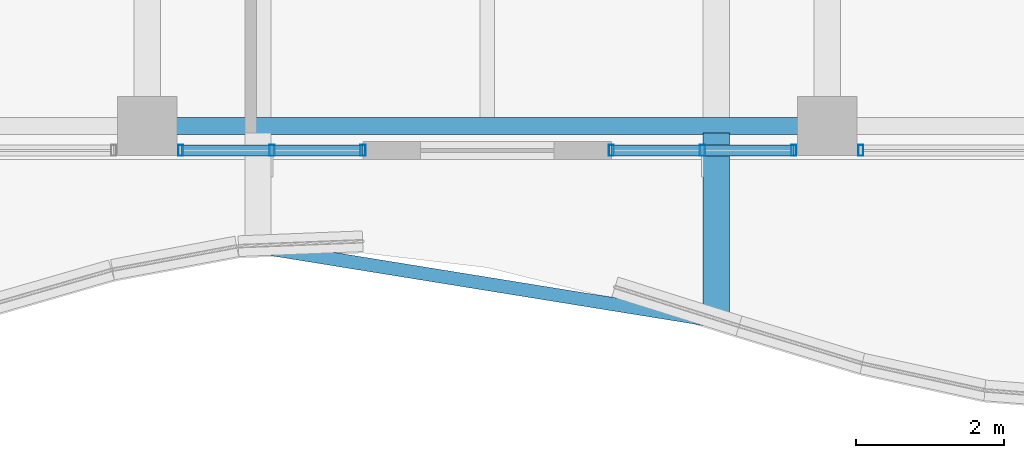
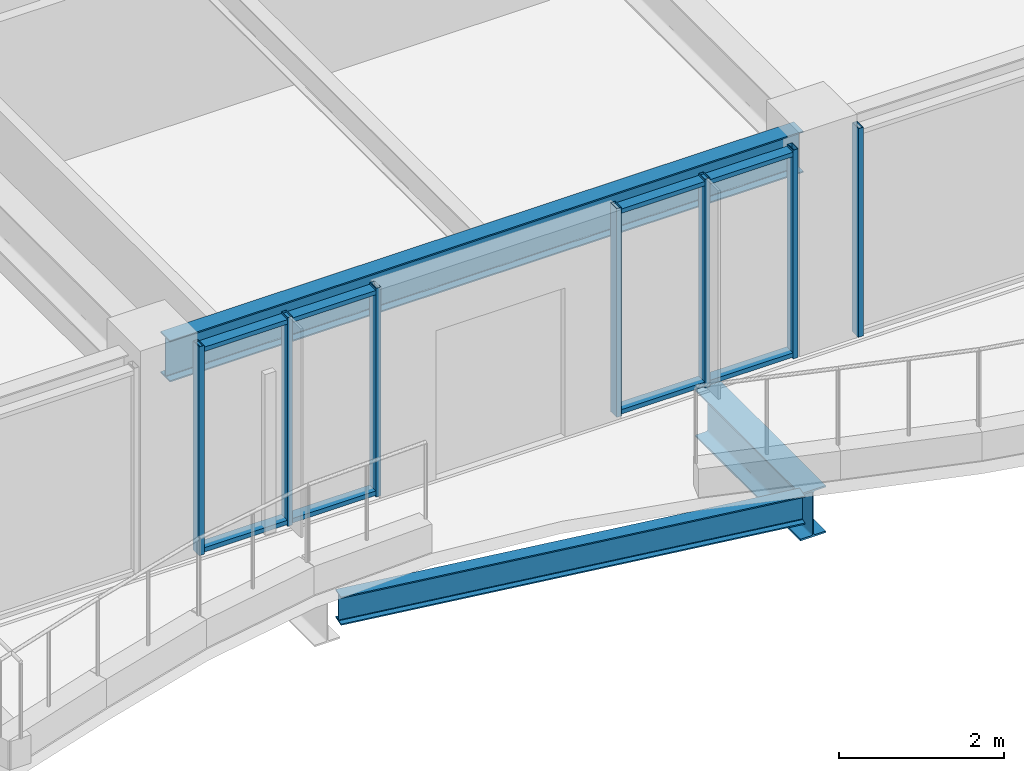
# One storey, part 6 of 36: 11 members, 3 beams, 3 elements without a shape of their own.
"""IFC4 building model written with IfcOpenShell, lengths in metres."""

from ifc_helpers import new_model, si_unit, direction, frame, origin, origin_2d, place, context, subcontext, project, spatial, hollow_rectangle, i_section, extrude, material, material_profile, profile_set, type_object, element, aggregate, save


model = new_model("IFC4")

# Units and contexts
model_context = context("Model", 3, precision=1e-05, world=origin(), true_north=direction((0.0, 1.0)))
body_context = subcontext(model_context, "Body", "Model", "MODEL_VIEW")
ifc_project = project(units=[si_unit("LENGTHUNIT", "METRE"), si_unit("AREAUNIT", "SQUARE_METRE"), si_unit("VOLUMEUNIT", "CUBIC_METRE"), si_unit("PLANEANGLEUNIT", "RADIAN"), si_unit("MASSUNIT", "GRAM", prefix="KILO")], contexts=[model_context])

# Site, building, storey
site_placement = place(None, origin())
site = spatial("IfcSite", under=ifc_project, at=site_placement, CompositionType="ELEMENT")
building_placement = place(site_placement, origin())
building = spatial("IfcBuilding", under=site, at=building_placement, Name="Kolvaren Belvedere", CompositionType="ELEMENT")
storey_placement = place(building_placement, frame((0.0, 0.0, 196.5)))
storey = spatial("IfcBuildingStorey", under=building, at=storey_placement, Name="L57", CompositionType="ELEMENT", Elevation=196.5)

# Beams
ifc_material_1 = material(Name="Structural steel ASTM A992 Grade 50", Category="steel")
ifc_material_profile_1 = material_profile(ifc_material_1, i_section(OverallWidth=0.35498046875, OverallDepth=0.696044921875, WebThickness=0.015380859375, FlangeThickness=0.02490234375, FilletRadius=0.02197265625, at=origin_2d()), Name="W27X146")
ifc_profile_set_1 = profile_set([ifc_material_profile_1], Name="Structural steel ASTM A992 Grade 50")
beam_type_1 = type_object("IfcBeamType", Name="BM-CANT-BAL", PredefinedType="BEAM", material=ifc_profile_set_1)
beam_1_placement = place(storey_placement, frame((3.10009765625, -20.044921875, -0.568115234375), z_axis=(0.0, -1.0, 0.0), x_axis=(1.0, 0.0, 0.0)))
element("IfcBeam", 1, at=beam_1_placement, inside=storey, type_object=beam_type_1, Name="L57 Planted Balcony Cantilever BAL-S-2", PredefinedType="BEAM", context=body_context, shape_type="SweptSolid", body=[
    extrude(i_section(OverallWidth=0.35498046875, OverallDepth=0.696044921875, WebThickness=0.015380859375, FlangeThickness=0.02490234375, FilletRadius=0.02197265625, at=origin_2d()), origin(), (0.0, 0.0, 1.0), 2.541259765625),
])
ifc_material_2 = material(Name="Structural steel ASTM A992 Grade 50", Category="steel")
ifc_material_profile_2 = material_profile(ifc_material_2, i_section(OverallWidth=0.180908203125, OverallDepth=0.4169921875, WebThickness=0.010986328125, FlangeThickness=0.018310546875, FilletRadius=0.013916015625, at=origin_2d()), Name="W16X57")
ifc_profile_set_2 = profile_set([ifc_material_profile_2], Name="Structural steel ASTM A992 Grade 50")
beam_type_2 = type_object("IfcBeamType", Name="BM-EDGE-W16X57", PredefinedType="BEAM", material=ifc_profile_set_2)
beam_2_placement = place(storey_placement, frame((-2.9619140625, -21.607666015625, -0.428466796875), z_axis=(0.987219034838, -0.159369310891, 0.0), x_axis=(0.159369310891, 0.987219034838, 0.0)))
element("IfcBeam", 2, at=beam_2_placement, inside=storey, type_object=beam_type_2, Name="L57 Balcony Tip Header Beam BAL-S", PredefinedType="BEAM", context=body_context, shape_type="SweptSolid", body=[
    extrude(i_section(OverallWidth=0.180908203125, OverallDepth=0.4169921875, WebThickness=0.010986328125, FlangeThickness=0.018310546875, FilletRadius=0.013916015625, at=origin_2d()), origin(), (0.0, 0.0, 1.0), 6.00048828125),
])
ifc_material_3 = material(Name="Structural steel ASTM A992 Grade 50", Category="steel")
ifc_material_profile_3 = material_profile(ifc_material_3, i_section(OverallWidth=0.22900390625, OverallDepth=0.612060546875, WebThickness=0.011962890625, FlangeThickness=0.01953125, FilletRadius=0.01806640625, at=origin_2d()), Name="W24X84")
ifc_profile_set_3 = profile_set([ifc_material_profile_3], Name="Structural steel ASTM A992 Grade 50")
beam_type_3 = type_object("IfcBeamType", Name="BM-SPAN-W24X84", PredefinedType="SPANDREL", material=ifc_profile_set_3)
beam_3_placement = place(storey_placement, frame((-4.419921875, -19.949951171875, 2.77392578125), z_axis=(1.0, 0.0, 0.0), x_axis=(0.0, 1.0, 0.0)))
element("IfcBeam", 3, at=beam_3_placement, inside=storey, type_object=beam_type_3, Name="L57 Perimeter Spandrel S2-S3", PredefinedType="SPANDREL", context=body_context, shape_type="SweptSolid", body=[
    extrude(i_section(OverallWidth=0.22900390625, OverallDepth=0.612060546875, WebThickness=0.011962890625, FlangeThickness=0.01953125, FilletRadius=0.01806640625, at=origin_2d()), origin(), (0.0, 0.0, 1.0), 8.83984375),
])

# Curtain wall, member
ifc_material_4 = material(Name="Anodised pale-metal aluminium AA 6063-T6", Category="aluminium")
curtain_wall_type = type_object("IfcCurtainWallType", Name="CW-Z5-HIGH", PredefinedType="NOTDEFINED", material=ifc_material_4)
curtain_wall_1_placement = place(storey_placement, origin())
curtain_wall_1 = element("IfcCurtainWall", 4, at=curtain_wall_1_placement, inside=storey, type_object=curtain_wall_type, Name="L57 Unitised Curtain Wall FCW-L57-S1-B1", PredefinedType="NOTDEFINED")
ifc_material_5 = material(Name="Anodised pale-metal aluminium AA 6063-T6", Category="aluminium")
ifc_material_profile_4 = material_profile(ifc_material_5, hollow_rectangle(XDim=0.070068359375, YDim=0.14990234375, WallThickness=0.004150390625, at=origin_2d()), Name="ALU-MUL-150X70")
ifc_profile_set_4 = profile_set([ifc_material_profile_4], Name="Anodised pale-metal aluminium AA 6063-T6")
member_type_1 = type_object("IfcMemberType", Name="CW-MUL-150", PredefinedType="MULLION", material=ifc_profile_set_4)
member_1_placement = place(storey_placement, frame((5.054931640625, -20.280029296875, 0.0), z_axis=(0.0, 0.0, 1.0), x_axis=(1.0, 0.0, 0.0)))
member_1 = element("IfcMember", 5, at=member_1_placement, type_object=member_type_1, Name="FCW-L57-S1-B1 Unitised Mullion 3", PredefinedType="MULLION", context=body_context, shape_type="SweptSolid", body=[
    extrude(hollow_rectangle(XDim=0.070068359375, YDim=0.14990234375, WallThickness=0.004150390625, at=origin_2d()), origin(), (0.0, 0.0, 1.0), 3.080078125),
])
aggregate(curtain_wall_1, [member_1])

# Curtain wall, members
curtain_wall_2_placement = place(storey_placement, origin())
curtain_wall_2 = element("IfcCurtainWall", 6, at=curtain_wall_2_placement, inside=storey, type_object=curtain_wall_type, Name="L57 Unitised Curtain Wall FCW-L57-S1-B2", PredefinedType="NOTDEFINED")
member_2_placement = place(storey_placement, frame((4.14501953125, -20.280029296875, 0.0), z_axis=(0.0, 0.0, 1.0), x_axis=(1.0, 0.0, 0.0)))
member_2 = element("IfcMember", 7, at=member_2_placement, type_object=member_type_1, Name="FCW-L57-S1-B2 Unitised Mullion 1", PredefinedType="MULLION", context=body_context, shape_type="SweptSolid", body=[
    extrude(hollow_rectangle(XDim=0.070068359375, YDim=0.14990234375, WallThickness=0.004150390625, at=origin_2d()), origin(), (0.0, 0.0, 1.0), 3.080078125),
])
member_3_placement = place(storey_placement, frame((2.91259765625, -20.280029296875, 0.0), z_axis=(0.0, 0.0, 1.0), x_axis=(1.0, 0.0, 0.0)))
member_3 = element("IfcMember", 8, at=member_3_placement, type_object=member_type_1, Name="FCW-L57-S1-B2 Unitised Mullion 2", PredefinedType="MULLION", context=body_context, shape_type="SweptSolid", body=[
    extrude(hollow_rectangle(XDim=0.070068359375, YDim=0.14990234375, WallThickness=0.004150390625, at=origin_2d()), origin(), (0.0, 0.0, 1.0), 3.080078125),
])
member_4_placement = place(storey_placement, frame((1.679931640625, -20.280029296875, 0.0), z_axis=(0.0, 0.0, 1.0), x_axis=(1.0, 0.0, 0.0)))
member_4 = element("IfcMember", 9, at=member_4_placement, type_object=member_type_1, Name="FCW-L57-S1-B2 Unitised Mullion 3", PredefinedType="MULLION", context=body_context, shape_type="SweptSolid", body=[
    extrude(hollow_rectangle(XDim=0.070068359375, YDim=0.14990234375, WallThickness=0.004150390625, at=origin_2d()), origin(), (0.0, 0.0, 1.0), 3.080078125),
])

curtain_wall_3_placement = place(storey_placement, origin())
curtain_wall_3 = element("IfcCurtainWall", 10, at=curtain_wall_3_placement, inside=storey, type_object=curtain_wall_type, Name="L57 Unitised Curtain Wall FCW-L57-S2-B1", PredefinedType="NOTDEFINED")
member_5_placement = place(storey_placement, frame((-1.679931640625, -20.280029296875, 0.0), z_axis=(0.0, 0.0, 1.0), x_axis=(1.0, 0.0, 0.0)))
member_5 = element("IfcMember", 11, at=member_5_placement, type_object=member_type_1, Name="FCW-L57-S2-B1 Unitised Mullion 1", PredefinedType="MULLION", context=body_context, shape_type="SweptSolid", body=[
    extrude(hollow_rectangle(XDim=0.070068359375, YDim=0.14990234375, WallThickness=0.004150390625, at=origin_2d()), origin(), (0.0, 0.0, 1.0), 3.080078125),
])
member_6_placement = place(storey_placement, frame((-2.91259765625, -20.280029296875, 0.0), z_axis=(0.0, 0.0, 1.0), x_axis=(1.0, 0.0, 0.0)))
member_6 = element("IfcMember", 12, at=member_6_placement, type_object=member_type_1, Name="FCW-L57-S2-B1 Unitised Mullion 2", PredefinedType="MULLION", context=body_context, shape_type="SweptSolid", body=[
    extrude(hollow_rectangle(XDim=0.070068359375, YDim=0.14990234375, WallThickness=0.004150390625, at=origin_2d()), origin(), (0.0, 0.0, 1.0), 3.080078125),
])
member_7_placement = place(storey_placement, frame((-4.14501953125, -20.280029296875, 0.0), z_axis=(0.0, 0.0, 1.0), x_axis=(1.0, 0.0, 0.0)))
member_7 = element("IfcMember", 13, at=member_7_placement, type_object=member_type_1, Name="FCW-L57-S2-B1 Unitised Mullion 3", PredefinedType="MULLION", context=body_context, shape_type="SweptSolid", body=[
    extrude(hollow_rectangle(XDim=0.070068359375, YDim=0.14990234375, WallThickness=0.004150390625, at=origin_2d()), origin(), (0.0, 0.0, 1.0), 3.080078125),
])

# Member
ifc_material_6 = material(Name="Anodised pale-metal aluminium AA 6063-T6", Category="aluminium")
ifc_material_profile_5 = material_profile(ifc_material_6, hollow_rectangle(XDim=0.06494140625, YDim=0.14990234375, WallThickness=0.00390625, at=origin_2d()), Name="ALU-TRN-150X65")
ifc_profile_set_5 = profile_set([ifc_material_profile_5], Name="Anodised pale-metal aluminium AA 6063-T6")
member_type_2 = type_object("IfcMemberType", Name="CW-TRN-150", PredefinedType="USERDEFINED", material=ifc_profile_set_5)
member_8_placement = place(storey_placement, frame((4.14501953125, -20.280029296875, 0.06005859375), z_axis=(-1.0, 0.0, 0.0), x_axis=(0.0, 0.0, 1.0)))
member_8 = element("IfcMember", 14, at=member_8_placement, type_object=member_type_2, Name="FCW-L57-S1-B2 Sill Transom", ObjectType="TRANSOM", PredefinedType="USERDEFINED", context=body_context, shape_type="SweptSolid", body=[
    extrude(hollow_rectangle(XDim=0.06494140625, YDim=0.14990234375, WallThickness=0.00390625, at=origin_2d()), origin(), (0.0, 0.0, 1.0), 2.465087890625),
])

member_9_placement = place(storey_placement, frame((4.14501953125, -20.280029296875, 3.02001953125), z_axis=(-1.0, 0.0, 0.0), x_axis=(0.0, 0.0, 1.0)))
member_9 = element("IfcMember", 15, at=member_9_placement, type_object=member_type_2, Name="FCW-L57-S1-B2 Head Transom", ObjectType="TRANSOM", PredefinedType="USERDEFINED", context=body_context, shape_type="SweptSolid", body=[
    extrude(hollow_rectangle(XDim=0.06494140625, YDim=0.14990234375, WallThickness=0.00390625, at=origin_2d()), origin(), (0.0, 0.0, 1.0), 2.465087890625),
])

aggregate(curtain_wall_2, [member_2, member_3, member_4, member_8, member_9])

member_10_placement = place(storey_placement, frame((-1.679931640625, -20.280029296875, 0.06005859375), z_axis=(-1.0, 0.0, 0.0), x_axis=(0.0, 0.0, 1.0)))
member_10 = element("IfcMember", 16, at=member_10_placement, type_object=member_type_2, Name="FCW-L57-S2-B1 Sill Transom", ObjectType="TRANSOM", PredefinedType="USERDEFINED", context=body_context, shape_type="SweptSolid", body=[
    extrude(hollow_rectangle(XDim=0.06494140625, YDim=0.14990234375, WallThickness=0.00390625, at=origin_2d()), origin(), (0.0, 0.0, 1.0), 2.465087890625),
])

member_11_placement = place(storey_placement, frame((-1.679931640625, -20.280029296875, 3.02001953125), z_axis=(-1.0, 0.0, 0.0), x_axis=(0.0, 0.0, 1.0)))
member_11 = element("IfcMember", 17, at=member_11_placement, type_object=member_type_2, Name="FCW-L57-S2-B1 Head Transom", ObjectType="TRANSOM", PredefinedType="USERDEFINED", context=body_context, shape_type="SweptSolid", body=[
    extrude(hollow_rectangle(XDim=0.06494140625, YDim=0.14990234375, WallThickness=0.00390625, at=origin_2d()), origin(), (0.0, 0.0, 1.0), 2.465087890625),
])

aggregate(curtain_wall_3, [member_5, member_6, member_7, member_10, member_11])

save(model, "model.ifc")
